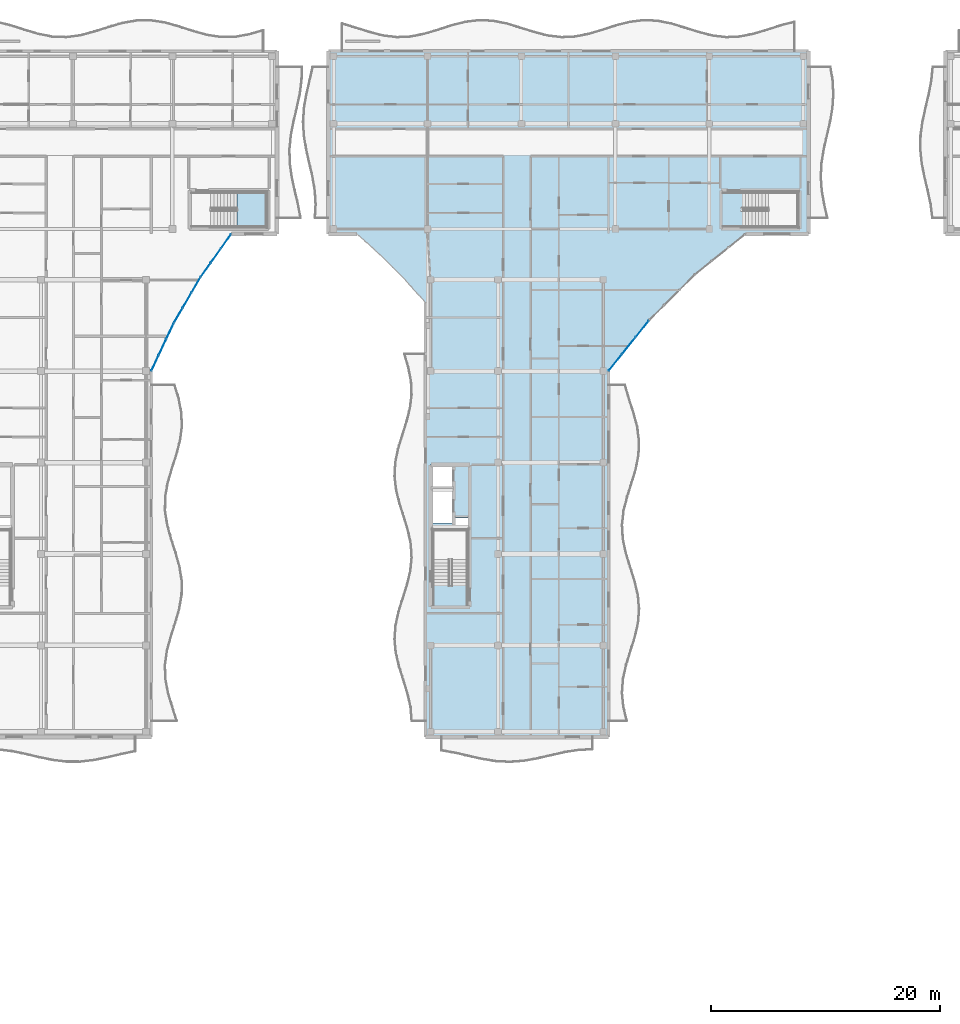
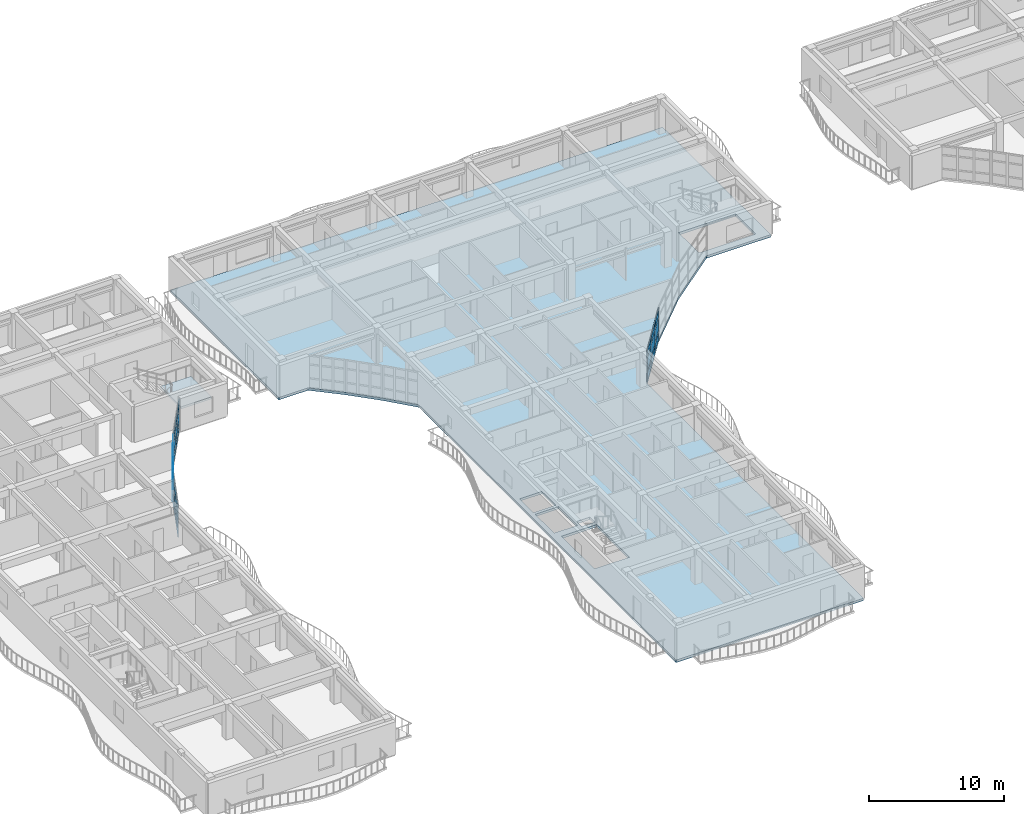
# One storey, part 30 of 79: 36 plates, 2 slabs, 5 elements without a shape of their own.
"""IFC4 building model written with IfcOpenShell, lengths in metres."""

from ifc_helpers import new_model, si_unit, direction, frame, origin, origin_2d, place, context, subcontext, project, spatial, polyline, rectangle, outline, extrude, material, layer, layer_set, type_object, element, aggregate, save


model = new_model("IFC4")

# Units and contexts
model_context = context("Model", 3, precision=1e-05, world=origin(), true_north=direction((0.0, 1.0)))
body_context = subcontext(model_context, "Body", "Model", "MODEL_VIEW")
ifc_project = project(units=[si_unit("LENGTHUNIT", "METRE"), si_unit("AREAUNIT", "SQUARE_METRE"), si_unit("VOLUMEUNIT", "CUBIC_METRE"), si_unit("PLANEANGLEUNIT", "RADIAN"), si_unit("MASSUNIT", "GRAM", prefix="KILO")], contexts=[model_context])

# Site, building, storey
site_placement = place(None, origin())
site = spatial("IfcSite", under=ifc_project, at=site_placement, CompositionType="ELEMENT")
building_placement = place(site_placement, origin())
building = spatial("IfcBuilding", under=site, at=building_placement, Name="Keldmere Railside Commons", CompositionType="ELEMENT")
storey_placement = place(building_placement, frame((0.0, 0.0, 10.56005859375)))
storey = spatial("IfcBuildingStorey", under=building, at=storey_placement, Name="L03", CompositionType="ELEMENT", Elevation=10.56005859375)

# Curtain wall, plates
ifc_material_1 = material(Name="Thermally Broken Aluminium", Category="aluminium")
ifc_layer_1 = layer(ifc_material_1, 0.159912109375, Name="Court Chord Wintergarden CW 4800x2850")
ifc_layer_set_1 = layer_set([ifc_layer_1], Name="Thermally Broken Aluminium")
curtain_wall_type_1 = type_object("IfcCurtainWallType", Name="Court Chord Wintergarden CW 4800x2850", PredefinedType="NOTDEFINED", material=ifc_layer_set_1)
curtain_wall_1_placement = place(storey_placement, origin())
curtain_wall_1 = element("IfcCurtainWall", 1, at=curtain_wall_1_placement, inside=storey, type_object=curtain_wall_type_1, Name="CW-12 CW-L03-010", PredefinedType="NOTDEFINED")
ifc_material_2 = material(Name="Low-E Insulated Double Glazing", Category="glass")
ifc_layer_2 = layer(ifc_material_2, 0.033935546875, Name="Acoustic Laminated Vision Panel 34")
ifc_layer_set_2 = layer_set([ifc_layer_2], Name="Low-E Insulated Double Glazing")
plate_type_1 = type_object("IfcPlateType", Name="Acoustic Laminated Vision Panel 34", PredefinedType="CURTAIN_PANEL", material=ifc_layer_set_2)
plate_1_placement = place(storey_placement, frame((25.636474609375, 91.48779296875, 0.06494140625), z_axis=(0.0, 0.0, 1.0), x_axis=(-0.424759442264, -0.905306255478, 0.0)))
plate_1 = element("IfcPlate", 2, at=plate_1_placement, type_object=plate_type_1, Name="CW-12 panel 1.1", PredefinedType="CURTAIN_PANEL", context=body_context, shape_type="SweptSolid", body=[
    extrude(rectangle(XDim=1.449951171875, YDim=0.033935546875, at=origin_2d()), origin(), (0.0, 0.0, 1.0), 0.802490234375),
])
plate_2_placement = place(storey_placement, frame((25.636474609375, 91.48779296875, 0.932373046875), z_axis=(0.0, 0.0, 1.0), x_axis=(-0.424759442264, -0.905306255478, 0.0)))
plate_2 = element("IfcPlate", 3, at=plate_2_placement, type_object=plate_type_1, Name="CW-12 panel 1.2", PredefinedType="CURTAIN_PANEL", context=body_context, shape_type="SweptSolid", body=[
    extrude(rectangle(XDim=1.449951171875, YDim=0.033935546875, at=origin_2d()), origin(), (0.0, 0.0, 1.0), 1.18505859375),
])
plate_3_placement = place(storey_placement, frame((25.636474609375, 91.48779296875, 2.182373046875), z_axis=(0.0, 0.0, 1.0), x_axis=(-0.424759442264, -0.905306255478, 0.0)))
plate_3 = element("IfcPlate", 4, at=plate_3_placement, type_object=plate_type_1, Name="CW-12 panel 1.3", PredefinedType="CURTAIN_PANEL", context=body_context, shape_type="SweptSolid", body=[
    extrude(rectangle(XDim=1.449951171875, YDim=0.033935546875, at=origin_2d()), origin(), (0.0, 0.0, 1.0), 0.732421875),
])
plate_4_placement = place(storey_placement, frame((24.986083984375, 90.1015625, 0.06494140625), z_axis=(0.0, 0.0, 1.0), x_axis=(-0.424759442264, -0.905306255478, 0.0)))
plate_4 = element("IfcPlate", 5, at=plate_4_placement, type_object=plate_type_1, Name="CW-12 panel 2.1", PredefinedType="CURTAIN_PANEL", context=body_context, shape_type="SweptSolid", body=[
    extrude(rectangle(XDim=1.482421875, YDim=0.033935546875, at=origin_2d()), origin(), (0.0, 0.0, 1.0), 0.802490234375),
])
plate_5_placement = place(storey_placement, frame((24.986083984375, 90.1015625, 0.932373046875), z_axis=(0.0, 0.0, 1.0), x_axis=(-0.424759442264, -0.905306255478, 0.0)))
plate_5 = element("IfcPlate", 6, at=plate_5_placement, type_object=plate_type_1, Name="CW-12 panel 2.2", PredefinedType="CURTAIN_PANEL", context=body_context, shape_type="SweptSolid", body=[
    extrude(rectangle(XDim=1.482421875, YDim=0.033935546875, at=origin_2d()), origin(), (0.0, 0.0, 1.0), 1.18505859375),
])
plate_6_placement = place(storey_placement, frame((24.986083984375, 90.1015625, 2.182373046875), z_axis=(0.0, 0.0, 1.0), x_axis=(-0.424759442264, -0.905306255478, 0.0)))
plate_6 = element("IfcPlate", 7, at=plate_6_placement, type_object=plate_type_1, Name="CW-12 panel 2.3", PredefinedType="CURTAIN_PANEL", context=body_context, shape_type="SweptSolid", body=[
    extrude(rectangle(XDim=1.482421875, YDim=0.033935546875, at=origin_2d()), origin(), (0.0, 0.0, 1.0), 0.732421875),
])
plate_7_placement = place(storey_placement, frame((24.33544921875, 88.71533203125, 0.06494140625), z_axis=(0.0, 0.0, 1.0), x_axis=(-0.424759442264, -0.905306255478, 0.0)))
plate_7 = element("IfcPlate", 8, at=plate_7_placement, type_object=plate_type_1, Name="CW-12 panel 3.1", PredefinedType="CURTAIN_PANEL", context=body_context, shape_type="SweptSolid", body=[
    extrude(rectangle(XDim=1.449951171875, YDim=0.033935546875, at=origin_2d()), origin(), (0.0, 0.0, 1.0), 0.802490234375),
])
plate_8_placement = place(storey_placement, frame((24.33544921875, 88.71533203125, 0.932373046875), z_axis=(0.0, 0.0, 1.0), x_axis=(-0.424759442264, -0.905306255478, 0.0)))
plate_8 = element("IfcPlate", 9, at=plate_8_placement, type_object=plate_type_1, Name="CW-12 panel 3.2", PredefinedType="CURTAIN_PANEL", context=body_context, shape_type="SweptSolid", body=[
    extrude(rectangle(XDim=1.449951171875, YDim=0.033935546875, at=origin_2d()), origin(), (0.0, 0.0, 1.0), 1.18505859375),
])
plate_9_placement = place(storey_placement, frame((24.33544921875, 88.71533203125, 2.182373046875), z_axis=(0.0, 0.0, 1.0), x_axis=(-0.424759442264, -0.905306255478, 0.0)))
plate_9 = element("IfcPlate", 10, at=plate_9_placement, type_object=plate_type_1, Name="CW-12 panel 3.3", PredefinedType="CURTAIN_PANEL", context=body_context, shape_type="SweptSolid", body=[
    extrude(rectangle(XDim=1.449951171875, YDim=0.033935546875, at=origin_2d()), origin(), (0.0, 0.0, 1.0), 0.732421875),
])
aggregate(curtain_wall_1, [plate_1, plate_2, plate_3, plate_4, plate_5, plate_6, plate_7, plate_8, plate_9])

curtain_wall_2_placement = place(storey_placement, origin())
curtain_wall_2 = element("IfcCurtainWall", 11, at=curtain_wall_2_placement, inside=storey, type_object=curtain_wall_type_1, Name="CW-12 CW-L03-043", PredefinedType="NOTDEFINED")
plate_10_placement = place(storey_placement, frame((66.951416015625, 91.678955078125, 0.06494140625), z_axis=(0.0, 0.0, 1.0), x_axis=(-0.625768080915, -0.780009172323, 0.0)))
plate_10 = element("IfcPlate", 12, at=plate_10_placement, type_object=plate_type_1, Name="CW-12 panel 1.1", PredefinedType="CURTAIN_PANEL", context=body_context, shape_type="SweptSolid", body=[
    extrude(rectangle(XDim=1.795654296875, YDim=0.033935546875, at=origin_2d()), origin(), (0.0, 0.0, 1.0), 0.802490234375),
])
plate_11_placement = place(storey_placement, frame((66.951416015625, 91.678955078125, 0.932373046875), z_axis=(0.0, 0.0, 1.0), x_axis=(-0.625768080915, -0.780009172323, 0.0)))
plate_11 = element("IfcPlate", 13, at=plate_11_placement, type_object=plate_type_1, Name="CW-12 panel 1.2", PredefinedType="CURTAIN_PANEL", context=body_context, shape_type="SweptSolid", body=[
    extrude(rectangle(XDim=1.795654296875, YDim=0.033935546875, at=origin_2d()), origin(), (0.0, 0.0, 1.0), 1.18505859375),
])
plate_12_placement = place(storey_placement, frame((66.951416015625, 91.678955078125, 2.182373046875), z_axis=(0.0, 0.0, 1.0), x_axis=(-0.625768080915, -0.780009172323, 0.0)))
plate_12 = element("IfcPlate", 14, at=plate_12_placement, type_object=plate_type_1, Name="CW-12 panel 1.3", PredefinedType="CURTAIN_PANEL", context=body_context, shape_type="SweptSolid", body=[
    extrude(rectangle(XDim=1.795654296875, YDim=0.033935546875, at=origin_2d()), origin(), (0.0, 0.0, 1.0), 0.732421875),
])
plate_13_placement = place(storey_placement, frame((65.777099609375, 90.215087890625, 0.06494140625), z_axis=(0.0, 0.0, 1.0), x_axis=(-0.625768080915, -0.780009172323, 0.0)))
plate_13 = element("IfcPlate", 15, at=plate_13_placement, type_object=plate_type_1, Name="CW-12 panel 2.1", PredefinedType="CURTAIN_PANEL", context=body_context, shape_type="SweptSolid", body=[
    extrude(rectangle(XDim=1.828125, YDim=0.033935546875, at=origin_2d()), origin(), (0.0, 0.0, 1.0), 0.802490234375),
])
plate_14_placement = place(storey_placement, frame((65.777099609375, 90.215087890625, 0.932373046875), z_axis=(0.0, 0.0, 1.0), x_axis=(-0.625768080915, -0.780009172323, 0.0)))
plate_14 = element("IfcPlate", 16, at=plate_14_placement, type_object=plate_type_1, Name="CW-12 panel 2.2", PredefinedType="CURTAIN_PANEL", context=body_context, shape_type="SweptSolid", body=[
    extrude(rectangle(XDim=1.828125, YDim=0.033935546875, at=origin_2d()), origin(), (0.0, 0.0, 1.0), 1.18505859375),
])
plate_15_placement = place(storey_placement, frame((65.777099609375, 90.215087890625, 2.182373046875), z_axis=(0.0, 0.0, 1.0), x_axis=(-0.625768080915, -0.780009172323, 0.0)))
plate_15 = element("IfcPlate", 17, at=plate_15_placement, type_object=plate_type_1, Name="CW-12 panel 2.3", PredefinedType="CURTAIN_PANEL", context=body_context, shape_type="SweptSolid", body=[
    extrude(rectangle(XDim=1.828125, YDim=0.033935546875, at=origin_2d()), origin(), (0.0, 0.0, 1.0), 0.732421875),
])
plate_16_placement = place(storey_placement, frame((64.6025390625, 88.7509765625, 0.06494140625), z_axis=(0.0, 0.0, 1.0), x_axis=(-0.625768080915, -0.780009172323, 0.0)))
plate_16 = element("IfcPlate", 18, at=plate_16_placement, type_object=plate_type_1, Name="CW-12 panel 3.1", PredefinedType="CURTAIN_PANEL", context=body_context, shape_type="SweptSolid", body=[
    extrude(rectangle(XDim=1.795654296875, YDim=0.033935546875, at=origin_2d()), origin(), (0.0, 0.0, 1.0), 0.802490234375),
])
plate_17_placement = place(storey_placement, frame((64.6025390625, 88.7509765625, 0.932373046875), z_axis=(0.0, 0.0, 1.0), x_axis=(-0.625768080915, -0.780009172323, 0.0)))
plate_17 = element("IfcPlate", 19, at=plate_17_placement, type_object=plate_type_1, Name="CW-12 panel 3.2", PredefinedType="CURTAIN_PANEL", context=body_context, shape_type="SweptSolid", body=[
    extrude(rectangle(XDim=1.795654296875, YDim=0.033935546875, at=origin_2d()), origin(), (0.0, 0.0, 1.0), 1.18505859375),
])
plate_18_placement = place(storey_placement, frame((64.6025390625, 88.7509765625, 2.182373046875), z_axis=(0.0, 0.0, 1.0), x_axis=(-0.625768080915, -0.780009172323, 0.0)))
plate_18 = element("IfcPlate", 20, at=plate_18_placement, type_object=plate_type_1, Name="CW-12 panel 3.3", PredefinedType="CURTAIN_PANEL", context=body_context, shape_type="SweptSolid", body=[
    extrude(rectangle(XDim=1.795654296875, YDim=0.033935546875, at=origin_2d()), origin(), (0.0, 0.0, 1.0), 0.732421875),
])
aggregate(curtain_wall_2, [plate_10, plate_11, plate_12, plate_13, plate_14, plate_15, plate_16, plate_17, plate_18])

ifc_layer_3 = layer(ifc_material_1, 0.159912109375, Name="Court Chord Wintergarden CW 5400x2850")
ifc_layer_set_3 = layer_set([ifc_layer_3], Name="Thermally Broken Aluminium")
curtain_wall_type_2 = type_object("IfcCurtainWallType", Name="Court Chord Wintergarden CW 5400x2850", PredefinedType="NOTDEFINED", material=ifc_layer_set_3)
curtain_wall_3_placement = place(storey_placement, origin())
curtain_wall_3 = element("IfcCurtainWall", 21, at=curtain_wall_3_placement, inside=storey, type_object=curtain_wall_type_2, Name="CW-13 CW-L03-011", PredefinedType="NOTDEFINED")
ifc_layer_4 = layer(ifc_material_2, 0.031982421875, Name="Clerestory Solar-Control Vision Panel 32")
ifc_layer_set_4 = layer_set([ifc_layer_4], Name="Low-E Insulated Double Glazing")
plate_type_2 = type_object("IfcPlateType", Name="Clerestory Solar-Control Vision Panel 32", PredefinedType="CURTAIN_PANEL", material=ifc_layer_set_4)
plate_19_placement = place(storey_placement, frame((27.913818359375, 95.531494140625, 0.06494140625), z_axis=(0.0, 0.0, 1.0), x_axis=(-0.503911193272, -0.86375546846, 0.0)))
plate_19 = element("IfcPlate", 22, at=plate_19_placement, type_object=plate_type_2, Name="CW-13 panel 1.1", PredefinedType="CURTAIN_PANEL", context=body_context, shape_type="SweptSolid", body=[
    extrude(rectangle(XDim=1.450439453125, YDim=0.031982421875, at=origin_2d()), origin(), (0.0, 0.0, 1.0), 0.802490234375),
])
plate_20_placement = place(storey_placement, frame((27.913818359375, 95.531494140625, 0.932373046875), z_axis=(0.0, 0.0, 1.0), x_axis=(-0.503911193272, -0.86375546846, 0.0)))
plate_20 = element("IfcPlate", 23, at=plate_20_placement, type_object=plate_type_2, Name="CW-13 panel 1.2", PredefinedType="CURTAIN_PANEL", context=body_context, shape_type="SweptSolid", body=[
    extrude(rectangle(XDim=1.450439453125, YDim=0.031982421875, at=origin_2d()), origin(), (0.0, 0.0, 1.0), 1.18505859375),
])
plate_21_placement = place(storey_placement, frame((27.913818359375, 95.531494140625, 2.182373046875), z_axis=(0.0, 0.0, 1.0), x_axis=(-0.503911193272, -0.86375546846, 0.0)))
plate_21 = element("IfcPlate", 24, at=plate_21_placement, type_object=plate_type_2, Name="CW-13 panel 1.3", PredefinedType="CURTAIN_PANEL", context=body_context, shape_type="SweptSolid", body=[
    extrude(rectangle(XDim=1.450439453125, YDim=0.031982421875, at=origin_2d()), origin(), (0.0, 0.0, 1.0), 0.732421875),
])
plate_22_placement = place(storey_placement, frame((27.14208984375, 94.20849609375, 0.06494140625), z_axis=(0.0, 0.0, 1.0), x_axis=(-0.503911193272, -0.86375546846, 0.0)))
plate_22 = element("IfcPlate", 25, at=plate_22_placement, type_object=plate_type_2, Name="CW-13 panel 2.1", PredefinedType="CURTAIN_PANEL", context=body_context, shape_type="SweptSolid", body=[
    extrude(rectangle(XDim=1.48291015625, YDim=0.031982421875, at=origin_2d()), origin(), (0.0, 0.0, 1.0), 0.802490234375),
])
plate_23_placement = place(storey_placement, frame((27.14208984375, 94.20849609375, 0.932373046875), z_axis=(0.0, 0.0, 1.0), x_axis=(-0.503911193272, -0.86375546846, 0.0)))
plate_23 = element("IfcPlate", 26, at=plate_23_placement, type_object=plate_type_2, Name="CW-13 panel 2.2", PredefinedType="CURTAIN_PANEL", context=body_context, shape_type="SweptSolid", body=[
    extrude(rectangle(XDim=1.48291015625, YDim=0.031982421875, at=origin_2d()), origin(), (0.0, 0.0, 1.0), 1.18505859375),
])
plate_24_placement = place(storey_placement, frame((27.14208984375, 94.20849609375, 2.182373046875), z_axis=(0.0, 0.0, 1.0), x_axis=(-0.503911193272, -0.86375546846, 0.0)))
plate_24 = element("IfcPlate", 27, at=plate_24_placement, type_object=plate_type_2, Name="CW-13 panel 2.3", PredefinedType="CURTAIN_PANEL", context=body_context, shape_type="SweptSolid", body=[
    extrude(rectangle(XDim=1.48291015625, YDim=0.031982421875, at=origin_2d()), origin(), (0.0, 0.0, 1.0), 0.732421875),
])
plate_25_placement = place(storey_placement, frame((26.3701171875, 92.885498046875, 0.06494140625), z_axis=(0.0, 0.0, 1.0), x_axis=(-0.503911193272, -0.86375546846, 0.0)))
plate_25 = element("IfcPlate", 28, at=plate_25_placement, type_object=plate_type_2, Name="CW-13 panel 3.1", PredefinedType="CURTAIN_PANEL", context=body_context, shape_type="SweptSolid", body=[
    extrude(rectangle(XDim=1.450439453125, YDim=0.031982421875, at=origin_2d()), origin(), (0.0, 0.0, 1.0), 0.802490234375),
])
plate_26_placement = place(storey_placement, frame((26.3701171875, 92.885498046875, 0.932373046875), z_axis=(0.0, 0.0, 1.0), x_axis=(-0.503911193272, -0.86375546846, 0.0)))
plate_26 = element("IfcPlate", 29, at=plate_26_placement, type_object=plate_type_2, Name="CW-13 panel 3.2", PredefinedType="CURTAIN_PANEL", context=body_context, shape_type="SweptSolid", body=[
    extrude(rectangle(XDim=1.450439453125, YDim=0.031982421875, at=origin_2d()), origin(), (0.0, 0.0, 1.0), 1.18505859375),
])
plate_27_placement = place(storey_placement, frame((26.3701171875, 92.885498046875, 2.182373046875), z_axis=(0.0, 0.0, 1.0), x_axis=(-0.503911193272, -0.86375546846, 0.0)))
plate_27 = element("IfcPlate", 30, at=plate_27_placement, type_object=plate_type_2, Name="CW-13 panel 3.3", PredefinedType="CURTAIN_PANEL", context=body_context, shape_type="SweptSolid", body=[
    extrude(rectangle(XDim=1.450439453125, YDim=0.031982421875, at=origin_2d()), origin(), (0.0, 0.0, 1.0), 0.732421875),
])
aggregate(curtain_wall_3, [plate_19, plate_20, plate_21, plate_22, plate_23, plate_24, plate_25, plate_26, plate_27])

# Stair, slab
ifc_material_3 = material(Name="Concrete H-30 (C30/37)", Category="concrete")
stair_type = type_object("IfcStairType", Name="Residential Core Dogleg Stair 1450", PredefinedType="HALF_TURN_STAIR", material=ifc_material_3)
stair_placement = place(storey_placement, origin())
stair = element("IfcStair", 31, at=stair_placement, inside=storey, type_object=stair_type, Name="L03 Block D Secondary Escape Stair 2", PredefinedType="HALF_TURN_STAIR")
ifc_layer_5 = layer(ifc_material_3, 0.199951171875, Name="Enclosed Stair Landing Slab 200")
ifc_layer_set_5 = layer_set([ifc_layer_5], Name="Concrete H-30 (C30/37)")
slab_type_1 = type_object("IfcSlabType", Name="Enclosed Stair Landing Slab 200", PredefinedType="LANDING", material=ifc_layer_set_5)
slab_1_placement = place(storey_placement, frame((0.0, 0.0, 1.39990234375)))
slab_1 = element("IfcSlab", 32, at=slab_1_placement, type_object=slab_type_1, Name="ST-D2 landing 1", PredefinedType="LANDING", context=body_context, shape_type="SweptSolid", body=[
    extrude(outline(polyline([(31.52001953125, 100.60009765625), (34.10009765625, 100.60009765625), (34.10009765625, 103.64990234375), (31.52001953125, 103.64990234375), (31.52001953125, 100.60009765625)])), origin(), (0.0, 0.0, 1.0), 0.199951171875),
])
aggregate(stair, [slab_1])

# Curtain wall, plates
curtain_wall_4_placement = place(storey_placement, origin())
curtain_wall_4 = element("IfcCurtainWall", 33, at=curtain_wall_4_placement, inside=storey, type_object=curtain_wall_type_1, Name="CW-12 CW-L03-012", PredefinedType="NOTDEFINED")
ifc_layer_6 = layer(ifc_material_2, 0.028076171875, Name="Low-E Vision Glazing Panel 28")
ifc_layer_set_6 = layer_set([ifc_layer_6], Name="Low-E Insulated Double Glazing")
plate_type_3 = type_object("IfcPlateType", Name="Low-E Vision Glazing Panel 28", PredefinedType="CURTAIN_PANEL", material=ifc_layer_set_6)
plate_28_placement = place(storey_placement, frame((30.54248046875, 99.355712890625, 0.06494140625), z_axis=(0.0, 0.0, 1.0), x_axis=(-0.578913327753, -0.815389084395, 0.0)))
plate_28 = element("IfcPlate", 34, at=plate_28_placement, type_object=plate_type_3, Name="CW-12 panel 1.1", PredefinedType="CURTAIN_PANEL", context=body_context, shape_type="SweptSolid", body=[
    extrude(rectangle(XDim=1.4501953125, YDim=0.028076171875, at=origin_2d()), origin(), (0.0, 0.0, 1.0), 0.802490234375),
])
plate_29_placement = place(storey_placement, frame((30.54248046875, 99.355712890625, 0.932373046875), z_axis=(0.0, 0.0, 1.0), x_axis=(-0.578913327753, -0.815389084395, 0.0)))
plate_29 = element("IfcPlate", 35, at=plate_29_placement, type_object=plate_type_3, Name="CW-12 panel 1.2", PredefinedType="CURTAIN_PANEL", context=body_context, shape_type="SweptSolid", body=[
    extrude(rectangle(XDim=1.4501953125, YDim=0.028076171875, at=origin_2d()), origin(), (0.0, 0.0, 1.0), 1.18505859375),
])
plate_30_placement = place(storey_placement, frame((30.54248046875, 99.355712890625, 2.182373046875), z_axis=(0.0, 0.0, 1.0), x_axis=(-0.578913327753, -0.815389084395, 0.0)))
plate_30 = element("IfcPlate", 36, at=plate_30_placement, type_object=plate_type_3, Name="CW-12 panel 1.3", PredefinedType="CURTAIN_PANEL", context=body_context, shape_type="SweptSolid", body=[
    extrude(rectangle(XDim=1.4501953125, YDim=0.028076171875, at=origin_2d()), origin(), (0.0, 0.0, 1.0), 0.732421875),
])
plate_31_placement = place(storey_placement, frame((29.656005859375, 98.10693359375, 0.06494140625), z_axis=(0.0, 0.0, 1.0), x_axis=(-0.578913327753, -0.815389084395, 0.0)))
plate_31 = element("IfcPlate", 37, at=plate_31_placement, type_object=plate_type_3, Name="CW-12 panel 2.1", PredefinedType="CURTAIN_PANEL", context=body_context, shape_type="SweptSolid", body=[
    extrude(rectangle(XDim=1.482666015625, YDim=0.028076171875, at=origin_2d()), origin(), (0.0, 0.0, 1.0), 0.802490234375),
])
plate_32_placement = place(storey_placement, frame((29.656005859375, 98.10693359375, 0.932373046875), z_axis=(0.0, 0.0, 1.0), x_axis=(-0.578913327753, -0.815389084395, 0.0)))
plate_32 = element("IfcPlate", 38, at=plate_32_placement, type_object=plate_type_3, Name="CW-12 panel 2.2", PredefinedType="CURTAIN_PANEL", context=body_context, shape_type="SweptSolid", body=[
    extrude(rectangle(XDim=1.482666015625, YDim=0.028076171875, at=origin_2d()), origin(), (0.0, 0.0, 1.0), 1.18505859375),
])
plate_33_placement = place(storey_placement, frame((29.656005859375, 98.10693359375, 2.182373046875), z_axis=(0.0, 0.0, 1.0), x_axis=(-0.578913327753, -0.815389084395, 0.0)))
plate_33 = element("IfcPlate", 39, at=plate_33_placement, type_object=plate_type_3, Name="CW-12 panel 2.3", PredefinedType="CURTAIN_PANEL", context=body_context, shape_type="SweptSolid", body=[
    extrude(rectangle(XDim=1.482666015625, YDim=0.028076171875, at=origin_2d()), origin(), (0.0, 0.0, 1.0), 0.732421875),
])
plate_34_placement = place(storey_placement, frame((28.769287109375, 96.858154296875, 0.06494140625), z_axis=(0.0, 0.0, 1.0), x_axis=(-0.578913327753, -0.815389084395, 0.0)))
plate_34 = element("IfcPlate", 40, at=plate_34_placement, type_object=plate_type_3, Name="CW-12 panel 3.1", PredefinedType="CURTAIN_PANEL", context=body_context, shape_type="SweptSolid", body=[
    extrude(rectangle(XDim=1.4501953125, YDim=0.028076171875, at=origin_2d()), origin(), (0.0, 0.0, 1.0), 0.802490234375),
])
plate_35_placement = place(storey_placement, frame((28.769287109375, 96.858154296875, 0.932373046875), z_axis=(0.0, 0.0, 1.0), x_axis=(-0.578913327753, -0.815389084395, 0.0)))
plate_35 = element("IfcPlate", 41, at=plate_35_placement, type_object=plate_type_3, Name="CW-12 panel 3.2", PredefinedType="CURTAIN_PANEL", context=body_context, shape_type="SweptSolid", body=[
    extrude(rectangle(XDim=1.4501953125, YDim=0.028076171875, at=origin_2d()), origin(), (0.0, 0.0, 1.0), 1.18505859375),
])
plate_36_placement = place(storey_placement, frame((28.769287109375, 96.858154296875, 2.182373046875), z_axis=(0.0, 0.0, 1.0), x_axis=(-0.578913327753, -0.815389084395, 0.0)))
plate_36 = element("IfcPlate", 42, at=plate_36_placement, type_object=plate_type_3, Name="CW-12 panel 3.3", PredefinedType="CURTAIN_PANEL", context=body_context, shape_type="SweptSolid", body=[
    extrude(rectangle(XDim=1.4501953125, YDim=0.028076171875, at=origin_2d()), origin(), (0.0, 0.0, 1.0), 0.732421875),
])
aggregate(curtain_wall_4, [plate_28, plate_29, plate_30, plate_31, plate_32, plate_33, plate_34, plate_35, plate_36])

# Slab
ifc_layer_7 = layer(ifc_material_3, 0.219970703125, Name="Residential Flat Slab 220")
ifc_layer_set_7 = layer_set([ifc_layer_7], Name="Concrete H-30 (C30/37)")
slab_type_2 = type_object("IfcSlabType", Name="Residential Flat Slab 220", PredefinedType="FLOOR", material=ifc_layer_set_7)
slab_2_placement = place(storey_placement, frame((0.0, 0.0, -0.219970703125)))
element("IfcSlab", 43, at=slab_2_placement, inside=storey, type_object=slab_type_2, Name="FS-2 BLKC-L03-023", PredefinedType="FLOOR", context=body_context, shape_type="SweptSolid", body=[
    extrude(outline(polyline([(48.0, 56.0), (64.0, 56.0), (64.0, 88.0), (67.553955078125, 92.429931640625), (71.570068359375, 96.446044921875), (76.0, 100.0), (81.5, 100.0), (81.5, 116.0), (39.5, 116.0), (39.5, 100.0), (42.0, 100.0), (44.10791015625, 98.110107421875), (46.110107421875, 96.10791015625), (48.0, 94.0), (48.0, 56.0)]), holes=[polyline([(51.675048828125, 69.22509765625), (48.675048828125, 69.22509765625), (48.675048828125, 74.074951171875), (51.675048828125, 74.074951171875), (51.675048828125, 69.22509765625)]), polyline([(50.60009765625, 74.419921875), (50.60009765625, 75.159912109375), (51.699951171875, 75.159912109375), (51.699951171875, 74.419921875), (50.60009765625, 74.419921875)]), polyline([(50.39990234375, 74.699951171875), (48.39990234375, 74.699951171875), (48.39990234375, 77.5), (50.39990234375, 77.5), (50.39990234375, 74.699951171875)]), polyline([(48.39990234375, 77.75), (48.39990234375, 79.800048828125), (50.300048828125, 79.800048828125), (50.300048828125, 77.75), (48.39990234375, 77.75)]), polyline([(75.72509765625, 103.625), (80.574951171875, 103.625), (80.574951171875, 100.625), (75.72509765625, 100.625), (75.72509765625, 103.625)])]), origin(), (0.0, 0.0, 1.0), 0.219970703125),
])

save(model, "model.ifc")
